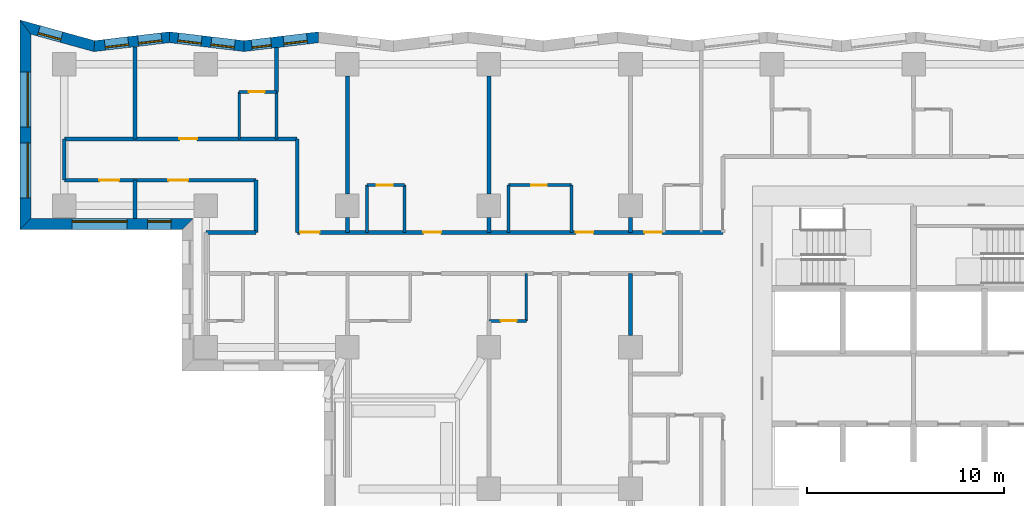
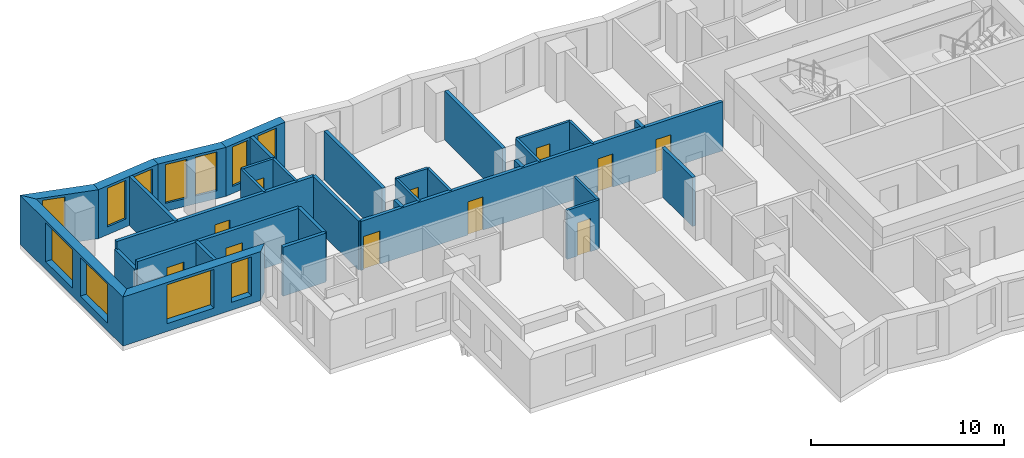
# One storey, part 4 of 14: 33 walls, 11 doors, 11 windows, 22 openings.
"""IFC4 building model written with IfcOpenShell, lengths in metres."""

from ifc_helpers import new_model, si_unit, direction, frame, frame_2d, origin, place, context, subcontext, project, spatial, polyline, rectangle, outline, extrude, material, layer, layer_set, type_object, element, fill, save


model = new_model("IFC4")

# Units and contexts
model_context = context("Model", 3, precision=1e-05, world=origin(), true_north=direction((0.0, 1.0)))
body_context = subcontext(model_context, "Body", "Model", "MODEL_VIEW")
ifc_project = project(units=[si_unit("LENGTHUNIT", "METRE"), si_unit("AREAUNIT", "SQUARE_METRE"), si_unit("VOLUMEUNIT", "CUBIC_METRE"), si_unit("PLANEANGLEUNIT", "RADIAN"), si_unit("MASSUNIT", "GRAM", prefix="KILO")], contexts=[model_context])

# Site, building, storey
site_placement = place(None, origin())
site = spatial("IfcSite", under=ifc_project, at=site_placement, CompositionType="ELEMENT")
building_placement = place(site_placement, origin())
building = spatial("IfcBuilding", under=site, at=building_placement, Name="Windrow Commons", CompositionType="ELEMENT")
storey_placement = place(building_placement, frame((0.0, 0.0, 44.0)))
storey = spatial("IfcBuildingStorey", under=building, at=storey_placement, Name="L11", CompositionType="ELEMENT", Elevation=44.0)

# Wall, openings, windows
ifc_material_1 = material(Name="Brick masonry, red clay brick", Category="masonry")
ifc_layer_1 = layer(ifc_material_1, 0.55)
ifc_layer_set_1 = layer_set([ifc_layer_1], Name="Brick facade wall 550")
wall_type_1 = type_object("IfcWallType", Name="Brick facade wall 550", PredefinedType="SOLIDWALL", material=ifc_layer_set_1)
wall_1_placement = place(storey_placement, frame((34.5449, 73.3741, 0.0), z_axis=(0.0, 0.0, 1.0), x_axis=(-0.9930269402, -0.1178876415, 0.0)))
wall_1 = element("IfcWall", 1, at=wall_1_placement, inside=storey, type_object=wall_type_1, Name="Brick facade wall L11 35", PredefinedType="SOLIDWALL", context=body_context, shape_type="SweptSolid", body=[
    extrude(outline(polyline([(-0.0326, -0.275), (3.793, -0.275), (3.8583, 0.275), (0.0326, 0.275), (-0.0326, -0.275)])), origin(), (0.0, 0.0, 1.0), 3.1),
])
opening_1_placement = place(wall_1_placement, frame((0.5963, 0.0, 0.5)))
opening_1 = element("IfcOpeningElement", 2, at=opening_1_placement, cuts=wall_1, Name="Opening W7D", PredefinedType="OPENING", context=body_context, shape_type="SweptSolid", body=[
    extrude(rectangle(XDim=1.2, YDim=2.45, at=frame_2d((0.6, 1.225))), frame((0.0, 0.285, 0.0), z_axis=(0.0, -1.0, 0.0), x_axis=(1.0, 0.0, 0.0)), (0.0, 0.0, 1.0), 0.57),
])
opening_2_placement = place(wall_1_placement, frame((2.4343, 0.0, 0.45)))
opening_2 = element("IfcOpeningElement", 3, at=opening_2_placement, cuts=wall_1, Name="Opening W1S", PredefinedType="OPENING", context=body_context, shape_type="SweptSolid", body=[
    extrude(rectangle(XDim=1.0, YDim=2.5, at=frame_2d((0.5, 1.25))), frame((0.0, 0.285, 0.0), z_axis=(0.0, -1.0, 0.0), x_axis=(1.0, 0.0, 0.0)), (0.0, 0.0, 1.0), 0.57),
])
ifc_material_2 = material(Name="Clear float glass in anodised aluminium frame", Category="aluminium")
window_type_1 = type_object("IfcWindowType", Name="Window W1S slit 1000x2500", PartitioningType="SINGLE_PANEL", PredefinedType="WINDOW", material=ifc_material_2)
window_1_placement = place(opening_2_placement, origin())
window_1 = element("IfcWindow", 4, at=window_1_placement, inside=storey, type_object=window_type_1, Name="Window L11 35.2A", OverallHeight=2.5, OverallWidth=1.0, PartitioningType="SINGLE_PANEL", PredefinedType="WINDOW", context=body_context, shape_type="SweptSolid", body=[
    extrude(rectangle(XDim=1.0, YDim=2.5, at=frame_2d((0.5, 1.25))), frame((0.0, 0.155, 0.0), z_axis=(0.0, -1.0, 0.0), x_axis=(1.0, 0.0, 0.0)), (0.0, 0.0, 1.0), 0.06),
])
fill(opening_2, window_1)
ifc_material_3 = material(Name="Clear float glass in anodised aluminium frame", Category="aluminium")
window_type_2 = type_object("IfcWindowType", Name="Window W7 notch 1200x2450", PartitioningType="SINGLE_PANEL", PredefinedType="WINDOW", material=ifc_material_3)
window_2_placement = place(opening_1_placement, origin())
window_2 = element("IfcWindow", 5, at=window_2_placement, inside=storey, type_object=window_type_2, Name="Window L11 35.1", OverallHeight=2.45, OverallWidth=1.2, PartitioningType="SINGLE_PANEL", PredefinedType="WINDOW", context=body_context, shape_type="SweptSolid", body=[
    extrude(rectangle(XDim=1.2, YDim=2.45, at=frame_2d((0.6, 1.225))), frame((0.0, 0.155, 0.0), z_axis=(0.0, -1.0, 0.0), x_axis=(1.0, 0.0, 0.0)), (0.0, 0.0, 1.0), 0.06),
])
fill(opening_1, window_2)

wall_2_placement = place(storey_placement, frame((30.7459, 72.9231, 0.0), z_axis=(0.0, 0.0, 1.0), x_axis=(-0.9930269402, 0.1178876415, 0.0)))
wall_2 = element("IfcWall", 6, at=wall_2_placement, inside=storey, type_object=wall_type_1, Name="Brick facade wall L11 36", PredefinedType="SOLIDWALL", context=body_context, shape_type="SweptSolid", body=[
    extrude(outline(polyline([(0.0326, -0.275), (3.8583, -0.275), (3.793, 0.275), (-0.0326, 0.275), (0.0326, -0.275)])), origin(), (0.0, 0.0, 1.0), 3.1),
])
opening_3_placement = place(wall_2_placement, frame((0.4798, 0.0, 0.5)))
opening_3 = element("IfcOpeningElement", 7, at=opening_3_placement, cuts=wall_2, Name="Opening W7D", PredefinedType="OPENING", context=body_context, shape_type="SweptSolid", body=[
    extrude(rectangle(XDim=1.2, YDim=2.45, at=frame_2d((0.6, 1.225))), frame((0.0, 0.285, 0.0), z_axis=(0.0, -1.0, 0.0), x_axis=(1.0, 0.0, 0.0)), (0.0, 0.0, 1.0), 0.57),
])
opening_4_placement = place(wall_2_placement, frame((2.1763, 0.0, 0.5)))
opening_4 = element("IfcOpeningElement", 8, at=opening_4_placement, cuts=wall_2, Name="Opening W7D", PredefinedType="OPENING", context=body_context, shape_type="SweptSolid", body=[
    extrude(rectangle(XDim=1.2, YDim=2.45, at=frame_2d((0.6, 1.225))), frame((0.0, 0.285, 0.0), z_axis=(0.0, -1.0, 0.0), x_axis=(1.0, 0.0, 0.0)), (0.0, 0.0, 1.0), 0.57),
])
window_3_placement = place(opening_3_placement, origin())
window_3 = element("IfcWindow", 9, at=window_3_placement, inside=storey, type_object=window_type_2, Name="Window L11 36.1", OverallHeight=2.45, OverallWidth=1.2, PartitioningType="SINGLE_PANEL", PredefinedType="WINDOW", context=body_context, shape_type="SweptSolid", body=[
    extrude(rectangle(XDim=1.2, YDim=2.45, at=frame_2d((0.6, 1.225))), frame((0.0, 0.155, 0.0), z_axis=(0.0, -1.0, 0.0), x_axis=(1.0, 0.0, 0.0)), (0.0, 0.0, 1.0), 0.06),
])
fill(opening_3, window_3)
window_4_placement = place(opening_4_placement, origin())
window_4 = element("IfcWindow", 10, at=window_4_placement, inside=storey, type_object=window_type_2, Name="Window L11 36.2", OverallHeight=2.45, OverallWidth=1.2, PartitioningType="SINGLE_PANEL", PredefinedType="WINDOW", context=body_context, shape_type="SweptSolid", body=[
    extrude(rectangle(XDim=1.2, YDim=2.45, at=frame_2d((0.6, 1.225))), frame((0.0, 0.155, 0.0), z_axis=(0.0, -1.0, 0.0), x_axis=(1.0, 0.0, 0.0)), (0.0, 0.0, 1.0), 0.06),
])
fill(opening_4, window_4)

wall_3_placement = place(storey_placement, frame((26.9469, 73.3741, 0.0), z_axis=(0.0, 0.0, 1.0), x_axis=(-0.9930244072, -0.1179089763, 0.0)))
wall_3 = element("IfcWall", 11, at=wall_3_placement, inside=storey, type_object=wall_type_1, Name="Brick facade wall L11 37", PredefinedType="SOLIDWALL", context=body_context, shape_type="SweptSolid", body=[
    extrude(outline(polyline([(-0.0326, -0.275), (3.793, -0.275), (3.9011, 0.275), (0.0326, 0.275), (-0.0326, -0.275)])), origin(), (0.0, 0.0, 1.0), 3.1),
])
opening_5_placement = place(wall_3_placement, frame((0.3959, 0.0, 0.5)))
opening_5 = element("IfcOpeningElement", 12, at=opening_5_placement, cuts=wall_3, Name="Opening W7D", PredefinedType="OPENING", context=body_context, shape_type="SweptSolid", body=[
    extrude(rectangle(XDim=1.2, YDim=2.45, at=frame_2d((0.6, 1.225))), frame((0.0, 0.285, 0.0), z_axis=(0.0, -1.0, 0.0), x_axis=(1.0, 0.0, 0.0)), (0.0, 0.0, 1.0), 0.57),
])
opening_6_placement = place(wall_3_placement, frame((2.1031, 0.0, 0.5)))
opening_6 = element("IfcOpeningElement", 13, at=opening_6_placement, cuts=wall_3, Name="Opening W7D", PredefinedType="OPENING", context=body_context, shape_type="SweptSolid", body=[
    extrude(rectangle(XDim=1.2, YDim=2.45, at=frame_2d((0.6, 1.225))), frame((0.0, 0.285, 0.0), z_axis=(0.0, -1.0, 0.0), x_axis=(1.0, 0.0, 0.0)), (0.0, 0.0, 1.0), 0.57),
])
window_5_placement = place(opening_5_placement, origin())
window_5 = element("IfcWindow", 14, at=window_5_placement, inside=storey, type_object=window_type_2, Name="Window L11 37.1", OverallHeight=2.45, OverallWidth=1.2, PartitioningType="SINGLE_PANEL", PredefinedType="WINDOW", context=body_context, shape_type="SweptSolid", body=[
    extrude(rectangle(XDim=1.2, YDim=2.45, at=frame_2d((0.6, 1.225))), frame((0.0, 0.155, 0.0), z_axis=(0.0, -1.0, 0.0), x_axis=(1.0, 0.0, 0.0)), (0.0, 0.0, 1.0), 0.06),
])
fill(opening_5, window_5)
window_6_placement = place(opening_6_placement, origin())
window_6 = element("IfcWindow", 15, at=window_6_placement, inside=storey, type_object=window_type_2, Name="Window L11 37.2", OverallHeight=2.45, OverallWidth=1.2, PartitioningType="SINGLE_PANEL", PredefinedType="WINDOW", context=body_context, shape_type="SweptSolid", body=[
    extrude(rectangle(XDim=1.2, YDim=2.45, at=frame_2d((0.6, 1.225))), frame((0.0, 0.155, 0.0), z_axis=(0.0, -1.0, 0.0), x_axis=(1.0, 0.0, 0.0)), (0.0, 0.0, 1.0), 0.06),
])
fill(opening_6, window_6)

# Wall, opening, window
wall_4_placement = place(storey_placement, frame((23.1267, 72.9205, 0.0), z_axis=(0.0, 0.0, 1.0), x_axis=(-0.9637921646, 0.266654577, 0.0)))
wall_4 = element("IfcWall", 16, at=wall_4_placement, inside=storey, type_object=wall_type_1, Name="Brick facade wall L11 38", PredefinedType="SOLIDWALL", context=body_context, shape_type="SweptSolid", body=[
    extrude(outline(polyline([(0.054, -0.275), (3.9957, -0.275), (3.2729, 0.275), (-0.054, 0.275), (0.054, -0.275)])), origin(), (0.0, 0.0, 1.0), 3.1),
])
opening_7_placement = place(wall_4_placement, frame((1.7285, 0.0, 0.5)))
opening_7 = element("IfcOpeningElement", 17, at=opening_7_placement, cuts=wall_4, Name="Opening W7D", PredefinedType="OPENING", context=body_context, shape_type="SweptSolid", body=[
    extrude(rectangle(XDim=1.2, YDim=2.45, at=frame_2d((0.6, 1.225))), frame((0.0, 0.285, 0.0), z_axis=(0.0, -1.0, 0.0), x_axis=(1.0, 0.0, 0.0)), (0.0, 0.0, 1.0), 0.57),
])
window_7_placement = place(opening_7_placement, origin())
window_7 = element("IfcWindow", 18, at=window_7_placement, inside=storey, type_object=window_type_2, Name="Window L11 38.1", OverallHeight=2.45, OverallWidth=1.2, PartitioningType="SINGLE_PANEL", PredefinedType="WINDOW", context=body_context, shape_type="SweptSolid", body=[
    extrude(rectangle(XDim=1.2, YDim=2.45, at=frame_2d((0.6, 1.225))), frame((0.0, 0.155, 0.0), z_axis=(0.0, -1.0, 0.0), x_axis=(1.0, 0.0, 0.0)), (0.0, 0.0, 1.0), 0.06),
])
fill(opening_7, window_7)

# Wall, openings, windows
wall_5_placement = place(storey_placement, frame((19.624, 73.8896, 0.0), z_axis=(0.0, 0.0, 1.0), x_axis=(0.0, -1.0, 0.0)))
wall_5 = element("IfcWall", 19, at=wall_5_placement, inside=storey, type_object=wall_type_1, Name="Brick facade wall L11 39", PredefinedType="SOLIDWALL", context=body_context, shape_type="SweptSolid", body=[
    extrude(outline(polyline([(-0.3614, -0.275), (10.2896, -0.275), (9.7396, 0.275), (0.3614, 0.275), (-0.3614, -0.275)])), origin(), (0.0, 0.0, 1.0), 3.1),
])
opening_8_placement = place(wall_5_placement, frame((2.2896, 0.0, 0.5)))
opening_8 = element("IfcOpeningElement", 20, at=opening_8_placement, cuts=wall_5, Name="Opening W1T", PredefinedType="OPENING", context=body_context, shape_type="SweptSolid", body=[
    extrude(rectangle(XDim=2.8, YDim=2.45, at=frame_2d((1.4, 1.225))), frame((0.0, 0.285, 0.0), z_axis=(0.0, -1.0, 0.0), x_axis=(1.0, 0.0, 0.0)), (0.0, 0.0, 1.0), 0.57),
])
opening_9_placement = place(wall_5_placement, frame((5.8896, 0.0, 0.5)))
opening_9 = element("IfcOpeningElement", 21, at=opening_9_placement, cuts=wall_5, Name="Opening W1T", PredefinedType="OPENING", context=body_context, shape_type="SweptSolid", body=[
    extrude(rectangle(XDim=2.8, YDim=2.45, at=frame_2d((1.4, 1.225))), frame((0.0, 0.285, 0.0), z_axis=(0.0, -1.0, 0.0), x_axis=(1.0, 0.0, 0.0)), (0.0, 0.0, 1.0), 0.57),
])
ifc_material_4 = material(Name="Clear float glass in anodised aluminium frame", Category="aluminium")
window_type_3 = type_object("IfcWindowType", Name="Window W1T bedroom 2800x2450", PartitioningType="SINGLE_PANEL", PredefinedType="WINDOW", material=ifc_material_4)
window_8_placement = place(opening_8_placement, origin())
window_8 = element("IfcWindow", 22, at=window_8_placement, inside=storey, type_object=window_type_3, Name="Window L11 39.1", OverallHeight=2.45, OverallWidth=2.8, PartitioningType="SINGLE_PANEL", PredefinedType="WINDOW", context=body_context, shape_type="SweptSolid", body=[
    extrude(rectangle(XDim=2.8, YDim=2.45, at=frame_2d((1.4, 1.225))), frame((0.0, 0.155, 0.0), z_axis=(0.0, -1.0, 0.0), x_axis=(1.0, 0.0, 0.0)), (0.0, 0.0, 1.0), 0.06),
])
fill(opening_8, window_8)
window_9_placement = place(opening_9_placement, origin())
window_9 = element("IfcWindow", 23, at=window_9_placement, inside=storey, type_object=window_type_3, Name="Window L11 39.2", OverallHeight=2.45, OverallWidth=2.8, PartitioningType="SINGLE_PANEL", PredefinedType="WINDOW", context=body_context, shape_type="SweptSolid", body=[
    extrude(rectangle(XDim=2.8, YDim=2.45, at=frame_2d((1.4, 1.225))), frame((0.0, 0.155, 0.0), z_axis=(0.0, -1.0, 0.0), x_axis=(1.0, 0.0, 0.0)), (0.0, 0.0, 1.0), 0.06),
])
fill(opening_9, window_9)

wall_6_placement = place(storey_placement, frame((19.624, 63.875, 0.0), z_axis=(0.0, 0.0, 1.0), x_axis=(1.0, 0.0, 0.0)))
wall_6 = element("IfcWall", 24, at=wall_6_placement, inside=storey, type_object=wall_type_1, Name="Brick facade wall L11 40", PredefinedType="SOLIDWALL", context=body_context, shape_type="SweptSolid", body=[
    extrude(outline(polyline([(-0.275, -0.275), (7.976, -0.275), (8.526, 0.275), (0.275, 0.275), (-0.275, -0.275)])), origin(), (0.0, 0.0, 1.0), 3.1),
])
opening_10_placement = place(wall_6_placement, frame((2.376, 0.0, 0.5)))
opening_10 = element("IfcOpeningElement", 25, at=opening_10_placement, cuts=wall_6, Name="Opening W1T", PredefinedType="OPENING", context=body_context, shape_type="SweptSolid", body=[
    extrude(rectangle(XDim=2.8, YDim=2.45, at=frame_2d((1.4, 1.225))), frame((0.0, 0.285, 0.0), z_axis=(0.0, -1.0, 0.0), x_axis=(1.0, 0.0, 0.0)), (0.0, 0.0, 1.0), 0.57),
])
opening_11_placement = place(wall_6_placement, frame((6.2135, 0.0, 0.5)))
opening_11 = element("IfcOpeningElement", 26, at=opening_11_placement, cuts=wall_6, Name="Opening W7D", PredefinedType="OPENING", context=body_context, shape_type="SweptSolid", body=[
    extrude(rectangle(XDim=1.2, YDim=2.45, at=frame_2d((0.6, 1.225))), frame((0.0, 0.285, 0.0), z_axis=(0.0, -1.0, 0.0), x_axis=(1.0, 0.0, 0.0)), (0.0, 0.0, 1.0), 0.57),
])
window_10_placement = place(opening_10_placement, origin())
window_10 = element("IfcWindow", 27, at=window_10_placement, inside=storey, type_object=window_type_3, Name="Window L11 40.1", OverallHeight=2.45, OverallWidth=2.8, PartitioningType="SINGLE_PANEL", PredefinedType="WINDOW", context=body_context, shape_type="SweptSolid", body=[
    extrude(rectangle(XDim=2.8, YDim=2.45, at=frame_2d((1.4, 1.225))), frame((0.0, 0.155, 0.0), z_axis=(0.0, -1.0, 0.0), x_axis=(1.0, 0.0, 0.0)), (0.0, 0.0, 1.0), 0.06),
])
fill(opening_10, window_10)
window_11_placement = place(opening_11_placement, origin())
window_11 = element("IfcWindow", 28, at=window_11_placement, inside=storey, type_object=window_type_2, Name="Window L11 40.2", OverallHeight=2.45, OverallWidth=1.2, PartitioningType="SINGLE_PANEL", PredefinedType="WINDOW", context=body_context, shape_type="SweptSolid", body=[
    extrude(rectangle(XDim=1.2, YDim=2.45, at=frame_2d((0.6, 1.225))), frame((0.0, 0.155, 0.0), z_axis=(0.0, -1.0, 0.0), x_axis=(1.0, 0.0, 0.0)), (0.0, 0.0, 1.0), 0.06),
])
fill(opening_11, window_11)

# Wall, openings, doors
ifc_material_5 = material(Name="Blockwork partition", Category="masonry")
ifc_layer_2 = layer(ifc_material_5, 0.2)
ifc_layer_set_2 = layer_set([ifc_layer_2], Name="IW-CORRIDOR-200")
wall_type_2 = type_object("IfcWallType", Name="IW-CORRIDOR-200", PredefinedType="PARTITIONING", material=ifc_layer_set_2)
wall_7_placement = place(storey_placement, frame((33.452, 63.45, 0.0), z_axis=(0.0, 0.0, 1.0), x_axis=(1.0, 0.0, 0.0)))
wall_7 = element("IfcWall", 29, at=wall_7_placement, inside=storey, type_object=wall_type_2, Name="W-L11-W001", PredefinedType="PARTITIONING", context=body_context, shape_type="SweptSolid", body=[
    extrude(rectangle(XDim=21.648, YDim=0.2, at=frame_2d((10.824, 0.0))), origin(), (0.0, 0.0, 1.0), 3.1),
])
opening_12_placement = place(wall_7_placement, frame((0.1418, 0.0, 0.0)))
opening_12 = element("IfcOpeningElement", 30, at=opening_12_placement, cuts=wall_7, Name="Opening D310F", PredefinedType="OPENING", context=body_context, shape_type="SweptSolid", body=[
    extrude(rectangle(XDim=1.0, YDim=2.1, at=frame_2d((0.5, 1.05))), frame((0.0, 0.11, 0.0), z_axis=(0.0, -1.0, 0.0), x_axis=(1.0, 0.0, 0.0)), (0.0, 0.0, 1.0), 0.22),
])
opening_13_placement = place(wall_7_placement, frame((6.4121, 0.0, 0.0)))
opening_13 = element("IfcOpeningElement", 31, at=opening_13_placement, cuts=wall_7, Name="Opening D109F", PredefinedType="OPENING", context=body_context, shape_type="SweptSolid", body=[
    extrude(rectangle(XDim=0.9, YDim=2.1, at=frame_2d((0.45, 1.05))), frame((0.0, 0.11, 0.0), z_axis=(0.0, -1.0, 0.0), x_axis=(1.0, 0.0, 0.0)), (0.0, 0.0, 1.0), 0.22),
])
opening_14_placement = place(wall_7_placement, frame((14.168, 0.0, 0.0)))
opening_14 = element("IfcOpeningElement", 32, at=opening_14_placement, cuts=wall_7, Name="Opening D109F", PredefinedType="OPENING", context=body_context, shape_type="SweptSolid", body=[
    extrude(rectangle(XDim=0.9, YDim=2.1, at=frame_2d((0.45, 1.05))), frame((0.0, 0.11, 0.0), z_axis=(0.0, -1.0, 0.0), x_axis=(1.0, 0.0, 0.0)), (0.0, 0.0, 1.0), 0.22),
])
opening_15_placement = place(wall_7_placement, frame((17.6513, 0.0, 0.0)))
opening_15 = element("IfcOpeningElement", 33, at=opening_15_placement, cuts=wall_7, Name="Opening D109S", PredefinedType="OPENING", context=body_context, shape_type="SweptSolid", body=[
    extrude(rectangle(XDim=0.9, YDim=2.1, at=frame_2d((0.45, 1.05))), frame((0.0, 0.11, 0.0), z_axis=(0.0, -1.0, 0.0), x_axis=(1.0, 0.0, 0.0)), (0.0, 0.0, 1.0), 0.22),
])
ifc_material_6 = material(Name="Timber door leaf", Category="wood")
door_type_1 = type_object("IfcDoorType", Name="DT-AMENITY-1000", OperationType="SINGLE_SWING_LEFT", PredefinedType="DOOR", material=ifc_material_6)
door_1_placement = place(opening_12_placement, origin())
door_1 = element("IfcDoor", 34, at=door_1_placement, inside=storey, type_object=door_type_1, Name="D-L11-D012", OperationType="SINGLE_SWING_LEFT", OverallHeight=2.1, OverallWidth=1.0, PredefinedType="DOOR", context=body_context, shape_type="SweptSolid", body=[
    extrude(rectangle(XDim=1.0, YDim=2.1, at=frame_2d((0.5, 1.05))), frame((0.0, 0.025, 0.0), z_axis=(0.0, -1.0, 0.0), x_axis=(1.0, 0.0, 0.0)), (0.0, 0.0, 1.0), 0.05),
])
fill(opening_12, door_1)
ifc_material_7 = material(Name="Timber door leaf", Category="wood")
door_type_2 = type_object("IfcDoorType", Name="DT-BEDROOM-900", OperationType="SINGLE_SWING_LEFT", PredefinedType="DOOR", material=ifc_material_7)
door_2_placement = place(opening_13_placement, origin())
door_2 = element("IfcDoor", 35, at=door_2_placement, inside=storey, type_object=door_type_2, Name="D-L11-D013", OperationType="SINGLE_SWING_RIGHT", OverallHeight=2.1, OverallWidth=0.9, PredefinedType="DOOR", context=body_context, shape_type="SweptSolid", body=[
    extrude(rectangle(XDim=0.9, YDim=2.1, at=frame_2d((0.45, 1.05))), frame((0.0, 0.025, 0.0), z_axis=(0.0, -1.0, 0.0), x_axis=(1.0, 0.0, 0.0)), (0.0, 0.0, 1.0), 0.05),
])
fill(opening_13, door_2)
door_3_placement = place(opening_14_placement, origin())
door_3 = element("IfcDoor", 36, at=door_3_placement, inside=storey, type_object=door_type_2, Name="D-L11-D015", OperationType="SINGLE_SWING_RIGHT", OverallHeight=2.1, OverallWidth=0.9, PredefinedType="DOOR", context=body_context, shape_type="SweptSolid", body=[
    extrude(rectangle(XDim=0.9, YDim=2.1, at=frame_2d((0.45, 1.05))), frame((0.0, 0.025, 0.0), z_axis=(0.0, -1.0, 0.0), x_axis=(1.0, 0.0, 0.0)), (0.0, 0.0, 1.0), 0.05),
])
fill(opening_14, door_3)
door_4_placement = place(opening_15_placement, origin())
door_4 = element("IfcDoor", 37, at=door_4_placement, inside=storey, type_object=door_type_2, Name="D-L11-D017", OperationType="SINGLE_SWING_RIGHT", OverallHeight=2.1, OverallWidth=0.9, PredefinedType="DOOR", context=body_context, shape_type="SweptSolid", body=[
    extrude(rectangle(XDim=0.9, YDim=2.1, at=frame_2d((0.45, 1.05))), frame((0.0, 0.025, 0.0), z_axis=(0.0, -1.0, 0.0), x_axis=(1.0, 0.0, 0.0)), (0.0, 0.0, 1.0), 0.05),
])
fill(opening_15, door_4)

# Wall, opening, door
wall_8_placement = place(storey_placement, frame((21.602, 68.2, 0.0), z_axis=(0.0, 0.0, 1.0), x_axis=(1.0, 0.0, 0.0)))
wall_8 = element("IfcWall", 38, at=wall_8_placement, inside=storey, type_object=wall_type_2, Name="W-L11-W007", PredefinedType="PARTITIONING", context=body_context, shape_type="SweptSolid", body=[
    extrude(rectangle(XDim=11.848, YDim=0.2, at=frame_2d((5.924, 0.0))), origin(), (0.0, 0.0, 1.0), 3.1),
])
opening_16_placement = place(wall_8_placement, frame((5.8546, 0.0, 0.0)))
opening_16 = element("IfcOpeningElement", 39, at=opening_16_placement, cuts=wall_8, Name="Opening D109F", PredefinedType="OPENING", context=body_context, shape_type="SweptSolid", body=[
    extrude(rectangle(XDim=0.9, YDim=2.1, at=frame_2d((0.45, 1.05))), frame((0.0, 0.11, 0.0), z_axis=(0.0, -1.0, 0.0), x_axis=(1.0, 0.0, 0.0)), (0.0, 0.0, 1.0), 0.22),
])
door_5_placement = place(opening_16_placement, origin())
door_5 = element("IfcDoor", 40, at=door_5_placement, inside=storey, type_object=door_type_2, Name="D-L11-D003", OperationType="SINGLE_SWING_LEFT", OverallHeight=2.1, OverallWidth=0.9, PredefinedType="DOOR", context=body_context, shape_type="SweptSolid", body=[
    extrude(rectangle(XDim=0.9, YDim=2.1, at=frame_2d((0.45, 1.05))), frame((0.0, 0.025, 0.0), z_axis=(0.0, -1.0, 0.0), x_axis=(1.0, 0.0, 0.0)), (0.0, 0.0, 1.0), 0.05),
])
fill(opening_16, door_5)

# Wall, openings, doors
wall_9_placement = place(storey_placement, frame((21.602, 66.1, 0.0), z_axis=(0.0, 0.0, 1.0), x_axis=(1.0, 0.0, 0.0)))
wall_9 = element("IfcWall", 41, at=wall_9_placement, inside=storey, type_object=wall_type_2, Name="W-L11-W012", PredefinedType="PARTITIONING", context=body_context, shape_type="SweptSolid", body=[
    extrude(rectangle(XDim=9.748, YDim=0.2, at=frame_2d((4.874, 0.0))), origin(), (0.0, 0.0, 1.0), 3.1),
])
opening_17_placement = place(wall_9_placement, frame((1.7907, 0.0, 0.0)))
opening_17 = element("IfcOpeningElement", 42, at=opening_17_placement, cuts=wall_9, Name="Opening D310F", PredefinedType="OPENING", context=body_context, shape_type="SweptSolid", body=[
    extrude(rectangle(XDim=1.0, YDim=2.1, at=frame_2d((0.5, 1.05))), frame((0.0, 0.11, 0.0), z_axis=(0.0, -1.0, 0.0), x_axis=(1.0, 0.0, 0.0)), (0.0, 0.0, 1.0), 0.22),
])
opening_18_placement = place(wall_9_placement, frame((5.2996, 0.0, 0.0)))
opening_18 = element("IfcOpeningElement", 43, at=opening_18_placement, cuts=wall_9, Name="Opening D310F", PredefinedType="OPENING", context=body_context, shape_type="SweptSolid", body=[
    extrude(rectangle(XDim=1.0, YDim=2.1, at=frame_2d((0.5, 1.05))), frame((0.0, 0.11, 0.0), z_axis=(0.0, -1.0, 0.0), x_axis=(1.0, 0.0, 0.0)), (0.0, 0.0, 1.0), 0.22),
])
door_6_placement = place(opening_17_placement, origin())
door_6 = element("IfcDoor", 44, at=door_6_placement, inside=storey, type_object=door_type_1, Name="D-L11-D001", OperationType="SINGLE_SWING_RIGHT", OverallHeight=2.1, OverallWidth=1.0, PredefinedType="DOOR", context=body_context, shape_type="SweptSolid", body=[
    extrude(rectangle(XDim=1.0, YDim=2.1, at=frame_2d((0.5, 1.05))), frame((0.0, 0.025, 0.0), z_axis=(0.0, -1.0, 0.0), x_axis=(1.0, 0.0, 0.0)), (0.0, 0.0, 1.0), 0.05),
])
fill(opening_17, door_6)
door_7_placement = place(opening_18_placement, origin())
door_7 = element("IfcDoor", 45, at=door_7_placement, inside=storey, type_object=door_type_1, Name="D-L11-D002", OperationType="SINGLE_SWING_RIGHT", OverallHeight=2.1, OverallWidth=1.0, PredefinedType="DOOR", context=body_context, shape_type="SweptSolid", body=[
    extrude(rectangle(XDim=1.0, YDim=2.1, at=frame_2d((0.5, 1.05))), frame((0.0, 0.025, 0.0), z_axis=(0.0, -1.0, 0.0), x_axis=(1.0, 0.0, 0.0)), (0.0, 0.0, 1.0), 0.05),
])
fill(opening_18, door_7)

# Walls
wall_10_placement = place(storey_placement, frame((33.45, 63.452, 0.0), z_axis=(0.0, 0.0, 1.0), x_axis=(0.0, 1.0, 0.0)))
element("IfcWall", 46, at=wall_10_placement, inside=storey, type_object=wall_type_2, Name="W-L11-W041", PredefinedType="PARTITIONING", context=body_context, shape_type="SweptSolid", body=[
    extrude(rectangle(XDim=4.748, YDim=0.2, at=frame_2d((2.374, 0.0))), origin(), (0.0, 0.0, 1.0), 3.1),
])
wall_11_placement = place(storey_placement, frame((31.35, 63.452, 0.0), z_axis=(0.0, 0.0, 1.0), x_axis=(0.0, 1.0, 0.0)))
element("IfcWall", 47, at=wall_11_placement, inside=storey, type_object=wall_type_2, Name="W-L11-W065", PredefinedType="PARTITIONING", context=body_context, shape_type="SweptSolid", body=[
    extrude(rectangle(XDim=2.648, YDim=0.2, at=frame_2d((1.324, 0.0))), origin(), (0.0, 0.0, 1.0), 3.1),
])
wall_12_placement = place(storey_placement, frame((28.802, 63.45, 0.0), z_axis=(0.0, 0.0, 1.0), x_axis=(1.0, 0.0, 0.0)))
element("IfcWall", 48, at=wall_12_placement, inside=storey, type_object=wall_type_2, Name="W-L11-W067", PredefinedType="PARTITIONING", context=body_context, shape_type="SweptSolid", body=[
    extrude(rectangle(XDim=2.548, YDim=0.2, at=frame_2d((1.274, 0.0))), origin(), (0.0, 0.0, 1.0), 3.1),
])
wall_13_placement = place(storey_placement, frame((21.6, 66.102, 0.0), z_axis=(0.0, 0.0, 1.0), x_axis=(0.0, 1.0, 0.0)))
element("IfcWall", 49, at=wall_13_placement, inside=storey, type_object=wall_type_2, Name="W-L11-W119", PredefinedType="PARTITIONING", context=body_context, shape_type="SweptSolid", body=[
    extrude(rectangle(XDim=2.096, YDim=0.2, at=frame_2d((1.048, 0.0))), origin(), (0.0, 0.0, 1.0), 2.6),
])

# Wall, opening, door
ifc_material_8 = material(Name="Blockwork partition", Category="masonry")
ifc_layer_3 = layer(ifc_material_8, 0.15)
ifc_layer_set_3 = layer_set([ifc_layer_3], Name="IW-ENSUITE-150")
wall_type_3 = type_object("IfcWallType", Name="IW-ENSUITE-150", PredefinedType="PARTITIONING", material=ifc_layer_set_3)
wall_14_placement = place(storey_placement, frame((44.2, 65.85, 0.0), z_axis=(0.0, 0.0, 1.0), x_axis=(1.0, 0.0, 0.0)))
wall_14 = element("IfcWall", 50, at=wall_14_placement, inside=storey, type_object=wall_type_3, Name="W-L11-W061", PredefinedType="PARTITIONING", context=body_context, shape_type="SweptSolid", body=[
    extrude(rectangle(XDim=3.2, YDim=0.15, at=frame_2d((1.6, 0.0))), origin(), (0.0, 0.0, 1.0), 3.1),
])
opening_19_placement = place(wall_14_placement, frame((1.154, 0.0, 0.0)))
opening_19 = element("IfcOpeningElement", 51, at=opening_19_placement, cuts=wall_14, Name="Opening D208N", PredefinedType="OPENING", context=body_context, shape_type="SweptSolid", body=[
    extrude(rectangle(XDim=0.8, YDim=2.1, at=frame_2d((0.4, 1.05))), frame((0.0, 0.085, 0.0), z_axis=(0.0, -1.0, 0.0), x_axis=(1.0, 0.0, 0.0)), (0.0, 0.0, 1.0), 0.17),
])
ifc_material_9 = material(Name="Timber door leaf", Category="wood")
door_type_3 = type_object("IfcDoorType", Name="DT-ENSUITE-800", OperationType="SINGLE_SWING_LEFT", PredefinedType="DOOR", material=ifc_material_9)
door_8_placement = place(opening_19_placement, origin())
door_8 = element("IfcDoor", 52, at=door_8_placement, inside=storey, type_object=door_type_3, Name="D-L11-D016", OperationType="SINGLE_SWING_RIGHT", OverallHeight=2.1, OverallWidth=0.8, PredefinedType="DOOR", context=body_context, shape_type="SweptSolid", body=[
    extrude(rectangle(XDim=0.8, YDim=2.1, at=frame_2d((0.4, 1.05))), frame((0.0, 0.025, 0.0), z_axis=(0.0, -1.0, 0.0), x_axis=(1.0, 0.0, 0.0)), (0.0, 0.0, 1.0), 0.05),
])
fill(opening_19, door_8)

# Walls
for number, where, z_axis, x_axis, name in (
    (53, (45.1, 58.95, 0.0), (0.0, 0.0, 1.0), (0.0, 1.0, 0.0), "W-L11-W084"),
    (54, (30.5, 68.2, 0.0), (0.0, 0.0, 1.0), (0.0, 1.0, 0.0), "W-L11-W092"),
    (55, (32.4, 68.2, 0.0), (0.0, 0.0, 1.0), (0.0, 1.0, 0.0), "W-L11-W093"),
    (56, (37.0, 63.45, 0.0), (0.0, 0.0, 1.0), (0.0, 1.0, 0.0), "W-L11-W094"),
    (57, (38.9, 63.45, 0.0), (0.0, 0.0, 1.0), (0.0, 1.0, 0.0), "W-L11-W095"),
    (58, (44.2, 63.45, 0.0), (0.0, 0.0, 1.0), (0.0, 1.0, 0.0), "W-L11-W096"),
    (59, (47.4, 63.45, 0.0), (0.0, 0.0, 1.0), (0.0, 1.0, 0.0), "W-L11-W097"),
):
    element("IfcWall", number, at=place(storey_placement, frame(where, z_axis=z_axis, x_axis=x_axis)), inside=storey, type_object=wall_type_3, Name=name, PredefinedType="PARTITIONING", context=body_context, shape_type="SweptSolid", body=[
        extrude(rectangle(XDim=2.4, YDim=0.15, at=frame_2d((1.2, 0.0))), origin(), (0.0, 0.0, 1.0), 3.1),
    ])

# Wall, opening, door
wall_15_placement = place(storey_placement, frame((43.2, 58.95, 0.0), z_axis=(0.0, 0.0, 1.0), x_axis=(1.0, 0.0, 0.0)))
wall_15 = element("IfcWall", 60, at=wall_15_placement, inside=storey, type_object=wall_type_3, Name="W-L11-W130", PredefinedType="PARTITIONING", context=body_context, shape_type="SweptSolid", body=[
    extrude(rectangle(XDim=1.9, YDim=0.15, at=frame_2d((0.95, 0.0))), origin(), (0.0, 0.0, 1.0), 3.1),
])
opening_20_placement = place(wall_15_placement, frame((0.6069, 0.0, 0.0)))
opening_20 = element("IfcOpeningElement", 61, at=opening_20_placement, cuts=wall_15, Name="Opening D208N", PredefinedType="OPENING", context=body_context, shape_type="SweptSolid", body=[
    extrude(rectangle(XDim=0.8, YDim=2.1, at=frame_2d((0.4, 1.05))), frame((0.0, 0.085, 0.0), z_axis=(0.0, -1.0, 0.0), x_axis=(1.0, 0.0, 0.0)), (0.0, 0.0, 1.0), 0.17),
])
door_9_placement = place(opening_20_placement, origin())
door_9 = element("IfcDoor", 62, at=door_9_placement, inside=storey, type_object=door_type_3, Name="D-L11-D011", OperationType="SINGLE_SWING_RIGHT", OverallHeight=2.1, OverallWidth=0.8, PredefinedType="DOOR", context=body_context, shape_type="SweptSolid", body=[
    extrude(rectangle(XDim=0.8, YDim=2.1, at=frame_2d((0.4, 1.05))), frame((0.0, 0.025, 0.0), z_axis=(0.0, -1.0, 0.0), x_axis=(1.0, 0.0, 0.0)), (0.0, 0.0, 1.0), 0.05),
])
fill(opening_20, door_9)

wall_16_placement = place(storey_placement, frame((30.5, 70.6, 0.0), z_axis=(0.0, 0.0, 1.0), x_axis=(1.0, 0.0, 0.0)))
wall_16 = element("IfcWall", 63, at=wall_16_placement, inside=storey, type_object=wall_type_3, Name="W-L11-W131", PredefinedType="PARTITIONING", context=body_context, shape_type="SweptSolid", body=[
    extrude(rectangle(XDim=1.9, YDim=0.15, at=frame_2d((0.95, 0.0))), origin(), (0.0, 0.0, 1.0), 3.1),
])
opening_21_placement = place(wall_16_placement, frame((0.4931, 0.0, 0.0)))
opening_21 = element("IfcOpeningElement", 64, at=opening_21_placement, cuts=wall_16, Name="Opening D208N", PredefinedType="OPENING", context=body_context, shape_type="SweptSolid", body=[
    extrude(rectangle(XDim=0.8, YDim=2.1, at=frame_2d((0.4, 1.05))), frame((0.0, 0.085, 0.0), z_axis=(0.0, -1.0, 0.0), x_axis=(1.0, 0.0, 0.0)), (0.0, 0.0, 1.0), 0.17),
])
door_10_placement = place(opening_21_placement, origin())
door_10 = element("IfcDoor", 65, at=door_10_placement, inside=storey, type_object=door_type_3, Name="D-L11-D004", OperationType="SINGLE_SWING_RIGHT", OverallHeight=2.1, OverallWidth=0.8, PredefinedType="DOOR", context=body_context, shape_type="SweptSolid", body=[
    extrude(rectangle(XDim=0.8, YDim=2.1, at=frame_2d((0.4, 1.05))), frame((0.0, 0.025, 0.0), z_axis=(0.0, -1.0, 0.0), x_axis=(1.0, 0.0, 0.0)), (0.0, 0.0, 1.0), 0.05),
])
fill(opening_21, door_10)

wall_17_placement = place(storey_placement, frame((37.0, 65.85, 0.0), z_axis=(0.0, 0.0, 1.0), x_axis=(1.0, 0.0, 0.0)))
wall_17 = element("IfcWall", 66, at=wall_17_placement, inside=storey, type_object=wall_type_3, Name="W-L11-W132", PredefinedType="PARTITIONING", context=body_context, shape_type="SweptSolid", body=[
    extrude(rectangle(XDim=1.9, YDim=0.15, at=frame_2d((0.95, 0.0))), origin(), (0.0, 0.0, 1.0), 3.1),
])
opening_22_placement = place(wall_17_placement, frame((0.5049, 0.0, 0.0)))
opening_22 = element("IfcOpeningElement", 67, at=opening_22_placement, cuts=wall_17, Name="Opening D208N", PredefinedType="OPENING", context=body_context, shape_type="SweptSolid", body=[
    extrude(rectangle(XDim=0.8, YDim=2.1, at=frame_2d((0.4, 1.05))), frame((0.0, 0.085, 0.0), z_axis=(0.0, -1.0, 0.0), x_axis=(1.0, 0.0, 0.0)), (0.0, 0.0, 1.0), 0.17),
])
door_11_placement = place(opening_22_placement, origin())
door_11 = element("IfcDoor", 68, at=door_11_placement, inside=storey, type_object=door_type_3, Name="D-L11-D014", OperationType="SINGLE_SWING_RIGHT", OverallHeight=2.1, OverallWidth=0.8, PredefinedType="DOOR", context=body_context, shape_type="SweptSolid", body=[
    extrude(rectangle(XDim=0.8, YDim=2.1, at=frame_2d((0.4, 1.05))), frame((0.0, 0.025, 0.0), z_axis=(0.0, -1.0, 0.0), x_axis=(1.0, 0.0, 0.0)), (0.0, 0.0, 1.0), 0.05),
])
fill(opening_22, door_11)

# Walls
ifc_material_10 = material(Name="Blockwork partition", Category="masonry")
ifc_layer_4 = layer(ifc_material_10, 0.2)
ifc_layer_set_4 = layer_set([ifc_layer_4], Name="IW-PARTY-200")
wall_type_4 = type_object("IfcWallType", Name="IW-PARTY-200", PredefinedType="PARTITIONING", material=ifc_layer_set_4)
for number, where, z_axis, x_axis, name in (
    (69, (36.0, 65.4, 0.0), (0.0, 0.0, 1.0), (0.0, 1.0, 0.0), "W-L11-W025"),
    (70, (43.2, 65.4, 0.0), (0.0, 0.0, 1.0), (0.0, 1.0, 0.0), "W-L11-W027"),
):
    element("IfcWall", number, at=place(storey_placement, frame(where, z_axis=z_axis, x_axis=x_axis)), inside=storey, type_object=wall_type_4, Name=name, PredefinedType="PARTITIONING", context=body_context, shape_type="SweptSolid", body=[
        extrude(rectangle(XDim=6.0, YDim=0.2, at=frame_2d((3.0, 0.0))), origin(), (0.0, 0.0, 1.0), 3.1),
    ])
wall_18_placement = place(storey_placement, frame((25.2, 68.2, 0.0), z_axis=(0.0, 0.0, 1.0), x_axis=(0.0, 1.0, 0.0)))
element("IfcWall", 71, at=wall_18_placement, inside=storey, type_object=wall_type_4, Name="W-L11-W044", PredefinedType="PARTITIONING", context=body_context, shape_type="SweptSolid", body=[
    extrude(rectangle(XDim=4.6897, YDim=0.2, at=frame_2d((2.3449, 0.0))), origin(), (0.0, 0.0, 1.0), 3.1),
])
wall_19_placement = place(storey_placement, frame((50.4, 58.2, 0.0), z_axis=(0.0, 0.0, 1.0), x_axis=(0.0, 1.0, 0.0)))
element("IfcWall", 72, at=wall_19_placement, inside=storey, type_object=wall_type_4, Name="W-L11-W062", PredefinedType="PARTITIONING", context=body_context, shape_type="SweptSolid", body=[
    extrude(rectangle(XDim=3.15, YDim=0.2, at=frame_2d((1.575, 0.0))), origin(), (0.0, 0.0, 1.0), 3.1),
])
wall_20_placement = place(storey_placement, frame((32.4, 70.6, 0.0), z_axis=(0.0, 0.0, 1.0), x_axis=(0.0, 1.0, 0.0)))
element("IfcWall", 73, at=wall_20_placement, inside=storey, type_object=wall_type_4, Name="W-L11-W112", PredefinedType="PARTITIONING", context=body_context, shape_type="SweptSolid", body=[
    extrude(rectangle(XDim=2.2425, YDim=0.2, at=frame_2d((1.1213, 0.0))), origin(), (0.0, 0.0, 1.0), 3.1),
])
wall_21_placement = place(storey_placement, frame((25.2, 64.15, 0.0), z_axis=(0.0, 0.0, 1.0), x_axis=(0.0, 1.0, 0.0)))
element("IfcWall", 74, at=wall_21_placement, inside=storey, type_object=wall_type_4, Name="W-L11-W137", PredefinedType="PARTITIONING", context=body_context, shape_type="SweptSolid", body=[
    extrude(rectangle(XDim=1.95, YDim=0.2, at=frame_2d((0.975, 0.0))), origin(), (0.0, 0.0, 1.0), 3.1),
])
for number, where, z_axis, x_axis, name in (
    (75, (36.0, 63.45, 0.0), (0.0, 0.0, 1.0), (0.0, 1.0, 0.0), "W-L11-W158"),
    (76, (43.2, 63.45, 0.0), (0.0, 0.0, 1.0), (0.0, 1.0, 0.0), "W-L11-W160"),
    (77, (50.4, 63.45, 0.0), (0.0, 0.0, 1.0), (0.0, 1.0, 0.0), "W-L11-W163"),
):
    element("IfcWall", number, at=place(storey_placement, frame(where, z_axis=z_axis, x_axis=x_axis)), inside=storey, type_object=wall_type_4, Name=name, PredefinedType="PARTITIONING", context=body_context, shape_type="SweptSolid", body=[
        extrude(rectangle(XDim=0.75, YDim=0.2, at=frame_2d((0.375, 0.0))), origin(), (0.0, 0.0, 1.0), 3.1),
    ])

save(model, "model.ifc")
